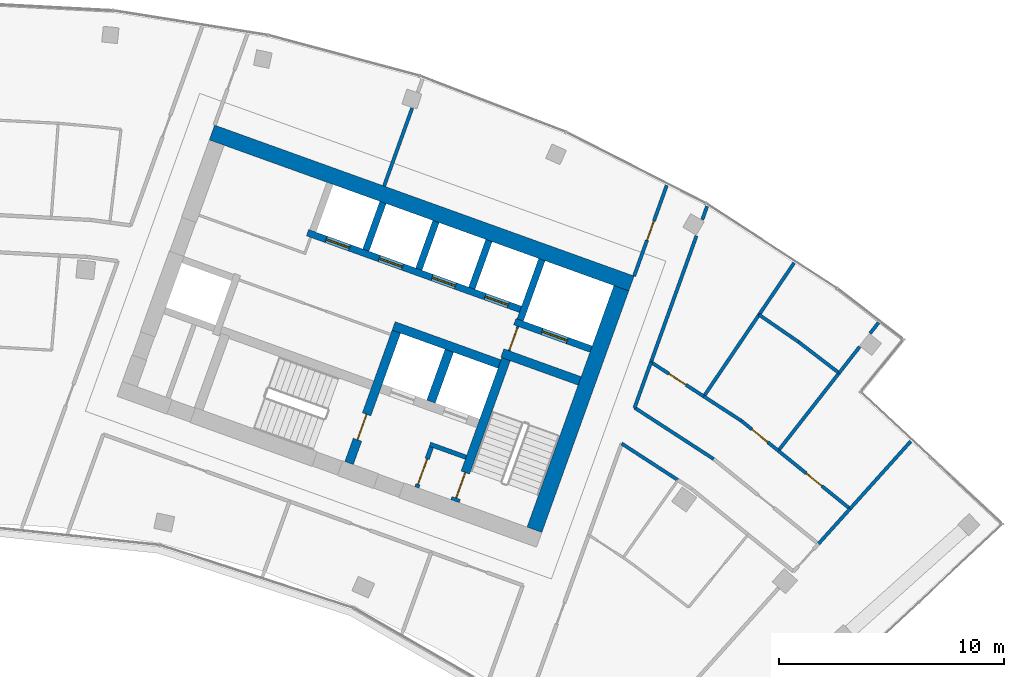
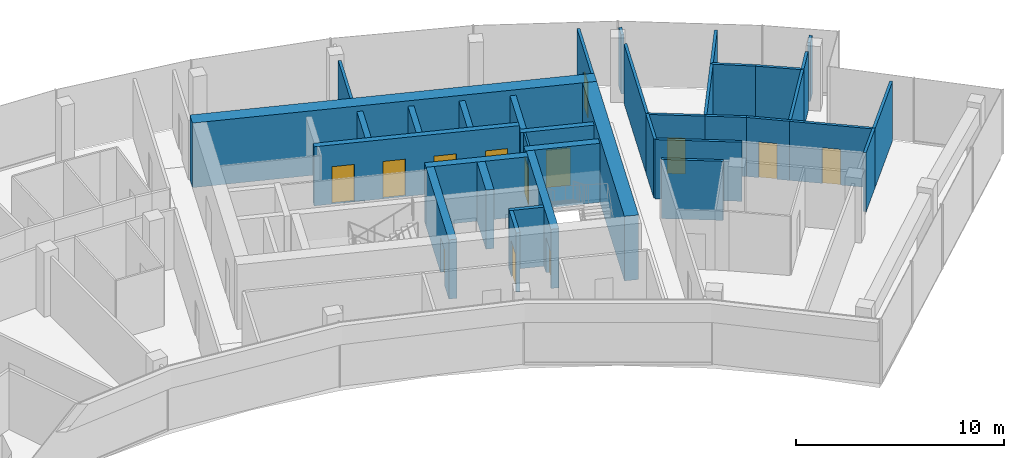
# One storey, part 16 of 18: 36 walls, 13 doors, 13 openings.
"""IFC4 building model written with IfcOpenShell, lengths in metres."""

from ifc_helpers import new_model, si_unit, direction, frame, frame_2d, origin, place, context, subcontext, project, spatial, rectangle, extrude, material, layer, layer_set, type_object, element, fill, save


model = new_model("IFC4")

# Units and contexts
model_context = context("Model", 3, precision=1e-05, world=origin(), true_north=direction((0.0, 1.0)))
body_context = subcontext(model_context, "Body", "Model", "MODEL_VIEW")
ifc_project = project(units=[si_unit("LENGTHUNIT", "METRE"), si_unit("AREAUNIT", "SQUARE_METRE"), si_unit("VOLUMEUNIT", "CUBIC_METRE"), si_unit("PLANEANGLEUNIT", "RADIAN"), si_unit("MASSUNIT", "GRAM", prefix="KILO")], contexts=[model_context])

# Site, building, storey
site_placement = place(None, origin())
site = spatial("IfcSite", under=ifc_project, at=site_placement, CompositionType="ELEMENT")
building_placement = place(site_placement, origin())
building = spatial("IfcBuilding", under=site, at=building_placement, Name="Stone Belt Terrace Tower", CompositionType="ELEMENT")
storey_placement = place(building_placement, frame((0.0, 0.0, 273.199951171875)))
storey = spatial("IfcBuildingStorey", under=building, at=storey_placement, Name="L66", CompositionType="ELEMENT", Elevation=273.199951171875)

# Wall, opening, door
ifc_material_1 = material(Name="Plasterboard partition")
ifc_layer_1 = layer(ifc_material_1, 0.10009765625)
ifc_layer_set_1 = layer_set([ifc_layer_1], Name="Core partition 100")
wall_type_1 = type_object("IfcWallType", Name="Core partition 100", PredefinedType="PARTITIONING", material=ifc_layer_set_1)
wall_1_placement = place(storey_placement, frame((24.555908203125, 51.10400390625, 0.0), z_axis=(0.0, 0.0, 1.0), x_axis=(0.338621735342, 0.94092258999, 0.0)))
wall_1 = element("IfcWall", 1, at=wall_1_placement, inside=storey, type_object=wall_type_1, Name="Core B wall", PredefinedType="PARTITIONING", context=body_context, shape_type="SweptSolid", body=[
    extrude(rectangle(XDim=1.14990234375, YDim=0.10009765625, at=frame_2d((0.574951171875, 0.0))), origin(), (0.0, 0.0, 1.0), 3.47998046875),
])
opening_1_placement = place(wall_1_placement, frame((0.050048828125, 0.0, 0.0)))
opening_1 = element("IfcOpeningElement", 2, at=opening_1_placement, cuts=wall_1, Name="Opening L66-C14", PredefinedType="OPENING", context=body_context, shape_type="SweptSolid", body=[
    extrude(rectangle(XDim=1.0, YDim=2.10009765625, at=frame_2d((0.5, 1.050048828125))), frame((0.0, 0.06005859375, 0.0), z_axis=(0.0, -1.0, 0.0), x_axis=(1.0, 0.0, 0.0)), (0.0, 0.0, 1.0), 0.1201171875),
])
ifc_material_2 = material(Name="Timber door leaf", Category="wood")
door_type_1 = type_object("IfcDoorType", Name="Core room door 1000", OperationType="SINGLE_SWING_LEFT", PredefinedType="DOOR", material=ifc_material_2)
door_1_placement = place(opening_1_placement, origin())
door_1 = element("IfcDoor", 3, at=door_1_placement, inside=storey, type_object=door_type_1, Name="Service lift lobby door core B", OperationType="SINGLE_SWING_RIGHT", OverallHeight=2.10009765625, OverallWidth=1.0, PredefinedType="DOOR", context=body_context, shape_type="SweptSolid", body=[
    extrude(rectangle(XDim=1.0, YDim=2.10009765625, at=frame_2d((0.5, 1.050048828125))), frame((0.0, 0.02490234375, 0.0), z_axis=(0.0, -1.0, 0.0), x_axis=(1.0, 0.0, 0.0)), (0.0, 0.0, 1.0), 0.050048828125),
])
fill(opening_1, door_1)

# Walls
ifc_material_3 = material(Name="Concrete B60", Category="concrete")
ifc_layer_2 = layer(ifc_material_3, 0.699951171875)
ifc_layer_set_2 = layer_set([ifc_layer_2], Name="Core wall 700 B60")
wall_type_2 = type_object("IfcWallType", Name="Core wall 700 B60", PredefinedType="SHEAR", material=ifc_layer_set_2)
wall_2_placement = place(storey_placement, frame((11.35791015625, 60.795654296875, 0.0), z_axis=(0.0, 0.0, 1.0), x_axis=(0.940919787944, -0.33862952124, 0.0)))
element("IfcWall", 4, at=wall_2_placement, inside=storey, type_object=wall_type_2, Name="Core B wall convex L66", PredefinedType="SHEAR", context=body_context, shape_type="SweptSolid", body=[
    extrude(rectangle(XDim=19.7998046875, YDim=0.699951171875, at=frame_2d((9.89990234375, 0.0))), origin(), (0.0, 0.0, 1.0), 3.800048828125),
])
wall_3_placement = place(storey_placement, frame((25.679931640625, 43.153564453125, 0.0), z_axis=(0.0, 0.0, 1.0), x_axis=(0.338625431531, 0.940921259788, 0.0)))
element("IfcWall", 5, at=wall_3_placement, inside=storey, type_object=wall_type_2, Name="Core B wall end_b L66", PredefinedType="SHEAR", context=body_context, shape_type="SweptSolid", body=[
    extrude(rectangle(XDim=11.400146484375, YDim=0.699951171875, at=frame_2d((5.7001953125, 0.0))), origin(), (0.0, 0.0, 1.0), 3.800048828125),
])
ifc_material_4 = material(Name="Concrete B80", Category="concrete")
ifc_layer_3 = layer(ifc_material_4, 0.39990234375)
ifc_layer_set_3 = layer_set([ifc_layer_3], Name="Fire-fighting lift shaft wall 400")
wall_type_3 = type_object("IfcWallType", Name="Fire-fighting lift shaft wall 400", PredefinedType="SHEAR", material=ifc_layer_set_3)
wall_4_placement = place(storey_placement, frame((24.130615234375, 50.512939453125, 0.0), z_axis=(0.0, 0.0, 1.0), x_axis=(-0.94091168377, 0.338652038744, 0.0)))
element("IfcWall", 6, at=wall_4_placement, inside=storey, type_object=wall_type_3, Name="Core B wall", PredefinedType="SHEAR", context=body_context, shape_type="SweptSolid", body=[
    extrude(rectangle(XDim=5.000244140625, YDim=0.39990234375, at=frame_2d((2.5, 0.0))), origin(), (0.0, 0.0, 1.0), 3.47998046875),
])
wall_5_placement = place(storey_placement, frame((21.0859375, 48.845458984375, 0.0), z_axis=(0.0, 0.0, 1.0), x_axis=(0.338629416206, 0.940919825745, 0.0)))
element("IfcWall", 7, at=wall_5_placement, inside=storey, type_object=wall_type_3, Name="Core B wall", PredefinedType="SHEAR", context=body_context, shape_type="SweptSolid", body=[
    extrude(rectangle(XDim=2.400146484375, YDim=0.39990234375, at=frame_2d((1.2001953125, 0.0))), origin(), (0.0, 0.0, 1.0), 3.47998046875),
])

# Wall, opening, door
ifc_layer_4 = layer(ifc_material_4, 0.300048828125)
ifc_layer_set_4 = layer_set([ifc_layer_4], Name="Lift shaft wall 300")
wall_type_4 = type_object("IfcWallType", Name="Lift shaft wall 300", PredefinedType="SHEAR", material=ifc_layer_set_4)
wall_6_placement = place(storey_placement, frame((28.195068359375, 51.17578125, 0.0), z_axis=(0.0, 0.0, 1.0), x_axis=(-0.940901243567, 0.338681044427, 0.0)))
wall_6 = element("IfcWall", 8, at=wall_6_placement, inside=storey, type_object=wall_type_4, Name="Core B wall", PredefinedType="SHEAR", context=body_context, shape_type="SweptSolid", body=[
    extrude(rectangle(XDim=3.599853515625, YDim=0.300048828125, at=frame_2d((1.7998046875, 0.0))), origin(), (0.0, 0.0, 1.0), 3.47998046875),
])
opening_2_placement = place(wall_6_placement, frame((1.1201171875, 0.0, 0.0)))
opening_2 = element("IfcOpeningElement", 9, at=opening_2_placement, cuts=wall_6, Name="Opening L66-LD14", PredefinedType="OPENING", context=body_context, shape_type="SweptSolid", body=[
    extrude(rectangle(XDim=1.199951171875, YDim=2.199951171875, at=frame_2d((0.60009765625, 1.10009765625))), frame((0.0, 0.159912109375, 0.0), z_axis=(0.0, -1.0, 0.0), x_axis=(1.0, 0.0, 0.0)), (0.0, 0.0, 1.0), 0.320068359375),
])
ifc_material_5 = material(Name="Stainless steel door leaf", Category="steel")
door_type_2 = type_object("IfcDoorType", Name="Landing door 1200", OperationType="SLIDING_TO_LEFT", PredefinedType="DOOR", material=ifc_material_5)
door_2_placement = place(opening_2_placement, origin())
door_2 = element("IfcDoor", 10, at=door_2_placement, inside=storey, type_object=door_type_2, Name="Landing door SV1 core B", OperationType="SLIDING_TO_LEFT", OverallHeight=2.199951171875, OverallWidth=1.199951171875, PredefinedType="DOOR", context=body_context, shape_type="SweptSolid", body=[
    extrude(rectangle(XDim=1.199951171875, YDim=2.199951171875, at=frame_2d((0.60009765625, 1.10009765625))), frame((0.0, 0.02490234375, 0.0), z_axis=(0.0, -1.0, 0.0), x_axis=(1.0, 0.0, 0.0)), (0.0, 0.0, 1.0), 0.050048828125),
])
fill(opening_2, door_2)

# Wall
wall_7_placement = place(storey_placement, frame((25.046875, 52.46826171875, 0.0), z_axis=(0.0, 0.0, 1.0), x_axis=(0.338549588058, 0.940948551423, 0.0)))
element("IfcWall", 11, at=wall_7_placement, inside=storey, type_object=wall_type_4, Name="Core B wall", PredefinedType="SHEAR", context=body_context, shape_type="SweptSolid", body=[
    extrude(rectangle(XDim=2.849853515625, YDim=0.300048828125, at=frame_2d((1.4248046875, 0.0))), origin(), (0.0, 0.0, 1.0), 3.47998046875),
])

# Wall, openings, doors
wall_8_placement = place(storey_placement, frame((25.05810546875, 52.9423828125, 0.0), z_axis=(0.0, 0.0, 1.0), x_axis=(-0.940917446785, 0.338636026339, 0.0)))
wall_8 = element("IfcWall", 12, at=wall_8_placement, inside=storey, type_object=wall_type_4, Name="Core B wall", PredefinedType="SHEAR", context=body_context, shape_type="SweptSolid", body=[
    extrude(rectangle(XDim=10.050048828125, YDim=0.300048828125, at=frame_2d((5.02490234375, 0.0))), origin(), (0.0, 0.0, 1.0), 3.47998046875),
])
opening_3_placement = place(wall_8_placement, frame((0.570068359375, 0.0, 0.0)))
opening_3 = element("IfcOpeningElement", 13, at=opening_3_placement, cuts=wall_8, Name="Opening L66-LD08", PredefinedType="OPENING", context=body_context, shape_type="SweptSolid", body=[
    extrude(rectangle(XDim=1.10009765625, YDim=2.199951171875, at=frame_2d((0.550048828125, 1.10009765625))), frame((0.0, 0.159912109375, 0.0), z_axis=(0.0, -1.0, 0.0), x_axis=(1.0, 0.0, 0.0)), (0.0, 0.0, 1.0), 0.320068359375),
])
opening_4_placement = place(wall_8_placement, frame((3.070068359375, 0.0, 0.0)))
opening_4 = element("IfcOpeningElement", 14, at=opening_4_placement, cuts=wall_8, Name="Opening L66-LD09", PredefinedType="OPENING", context=body_context, shape_type="SweptSolid", body=[
    extrude(rectangle(XDim=1.10009765625, YDim=2.199951171875, at=frame_2d((0.550048828125, 1.10009765625))), frame((0.0, 0.159912109375, 0.0), z_axis=(0.0, -1.0, 0.0), x_axis=(1.0, 0.0, 0.0)), (0.0, 0.0, 1.0), 0.320068359375),
])
opening_5_placement = place(wall_8_placement, frame((5.570068359375, 0.0, 0.0)))
opening_5 = element("IfcOpeningElement", 15, at=opening_5_placement, cuts=wall_8, Name="Opening L66-LD10", PredefinedType="OPENING", context=body_context, shape_type="SweptSolid", body=[
    extrude(rectangle(XDim=1.10009765625, YDim=2.199951171875, at=frame_2d((0.550048828125, 1.10009765625))), frame((0.0, 0.159912109375, 0.0), z_axis=(0.0, -1.0, 0.0), x_axis=(1.0, 0.0, 0.0)), (0.0, 0.0, 1.0), 0.320068359375),
])
opening_6_placement = place(wall_8_placement, frame((8.070068359375, 0.0, 0.0)))
opening_6 = element("IfcOpeningElement", 16, at=opening_6_placement, cuts=wall_8, Name="Opening L66-LD11", PredefinedType="OPENING", context=body_context, shape_type="SweptSolid", body=[
    extrude(rectangle(XDim=1.10009765625, YDim=2.199951171875, at=frame_2d((0.550048828125, 1.10009765625))), frame((0.0, 0.159912109375, 0.0), z_axis=(0.0, -1.0, 0.0), x_axis=(1.0, 0.0, 0.0)), (0.0, 0.0, 1.0), 0.320068359375),
])
door_type_3 = type_object("IfcDoorType", Name="Landing door 1100", OperationType="SLIDING_TO_LEFT", PredefinedType="DOOR", material=ifc_material_5)
door_3_placement = place(opening_3_placement, origin())
door_3 = element("IfcDoor", 17, at=door_3_placement, inside=storey, type_object=door_type_3, Name="Landing door HR1 core B", OperationType="SLIDING_TO_LEFT", OverallHeight=2.199951171875, OverallWidth=1.10009765625, PredefinedType="DOOR", context=body_context, shape_type="SweptSolid", body=[
    extrude(rectangle(XDim=1.10009765625, YDim=2.199951171875, at=frame_2d((0.550048828125, 1.10009765625))), frame((0.0, 0.02490234375, 0.0), z_axis=(0.0, -1.0, 0.0), x_axis=(1.0, 0.0, 0.0)), (0.0, 0.0, 1.0), 0.050048828125),
])
fill(opening_3, door_3)
door_4_placement = place(opening_4_placement, origin())
door_4 = element("IfcDoor", 18, at=door_4_placement, inside=storey, type_object=door_type_3, Name="Landing door HR2 core B", OperationType="SLIDING_TO_LEFT", OverallHeight=2.199951171875, OverallWidth=1.10009765625, PredefinedType="DOOR", context=body_context, shape_type="SweptSolid", body=[
    extrude(rectangle(XDim=1.10009765625, YDim=2.199951171875, at=frame_2d((0.550048828125, 1.10009765625))), frame((0.0, 0.02490234375, 0.0), z_axis=(0.0, -1.0, 0.0), x_axis=(1.0, 0.0, 0.0)), (0.0, 0.0, 1.0), 0.050048828125),
])
fill(opening_4, door_4)
door_5_placement = place(opening_5_placement, origin())
door_5 = element("IfcDoor", 19, at=door_5_placement, inside=storey, type_object=door_type_3, Name="Landing door HR3 core B", OperationType="SLIDING_TO_LEFT", OverallHeight=2.199951171875, OverallWidth=1.10009765625, PredefinedType="DOOR", context=body_context, shape_type="SweptSolid", body=[
    extrude(rectangle(XDim=1.10009765625, YDim=2.199951171875, at=frame_2d((0.550048828125, 1.10009765625))), frame((0.0, 0.02490234375, 0.0), z_axis=(0.0, -1.0, 0.0), x_axis=(1.0, 0.0, 0.0)), (0.0, 0.0, 1.0), 0.050048828125),
])
fill(opening_5, door_5)
door_6_placement = place(opening_6_placement, origin())
door_6 = element("IfcDoor", 20, at=door_6_placement, inside=storey, type_object=door_type_3, Name="Landing door HR4 core B", OperationType="SLIDING_TO_LEFT", OverallHeight=2.199951171875, OverallWidth=1.10009765625, PredefinedType="DOOR", context=body_context, shape_type="SweptSolid", body=[
    extrude(rectangle(XDim=1.10009765625, YDim=2.199951171875, at=frame_2d((0.550048828125, 1.10009765625))), frame((0.0, 0.02490234375, 0.0), z_axis=(0.0, -1.0, 0.0), x_axis=(1.0, 0.0, 0.0)), (0.0, 0.0, 1.0), 0.050048828125),
])
fill(opening_6, door_6)

# Walls
wall_9_placement = place(storey_placement, frame((22.897705078125, 53.87939453125, 0.0), z_axis=(0.0, 0.0, 1.0), x_axis=(0.338535034312, 0.940953787677, 0.0)))
element("IfcWall", 21, at=wall_9_placement, inside=storey, type_object=wall_type_4, Name="Core B wall", PredefinedType="SHEAR", context=body_context, shape_type="SweptSolid", body=[
    extrude(rectangle(XDim=2.25, YDim=0.300048828125, at=frame_2d((1.125, 0.0))), origin(), (0.0, 0.0, 1.0), 3.47998046875),
])
wall_10_placement = place(storey_placement, frame((20.54541015625, 54.72607421875, 0.0), z_axis=(0.0, 0.0, 1.0), x_axis=(0.338569601369, 0.940941350472, 0.0)))
element("IfcWall", 22, at=wall_10_placement, inside=storey, type_object=wall_type_4, Name="Core B wall", PredefinedType="SHEAR", context=body_context, shape_type="SweptSolid", body=[
    extrude(rectangle(XDim=2.249755859375, YDim=0.300048828125, at=frame_2d((1.125, 0.0))), origin(), (0.0, 0.0, 1.0), 3.47998046875),
])
wall_11_placement = place(storey_placement, frame((18.193115234375, 55.572509765625, 0.0), z_axis=(0.0, 0.0, 1.0), x_axis=(0.338535034312, 0.940953787677, 0.0)))
element("IfcWall", 23, at=wall_11_placement, inside=storey, type_object=wall_type_4, Name="Core B wall", PredefinedType="SHEAR", context=body_context, shape_type="SweptSolid", body=[
    extrude(rectangle(XDim=2.25, YDim=0.300048828125, at=frame_2d((1.125, 0.0))), origin(), (0.0, 0.0, 1.0), 3.47998046875),
])

# Wall, opening, door
ifc_material_6 = material(Name="Gypsum board partition")
ifc_layer_5 = layer(ifc_material_6, 0.14990234375)
ifc_layer_set_5 = layer_set([ifc_layer_5], Name="PARTITION 150 EI 60")
wall_type_5 = type_object("IfcWallType", Name="PARTITION 150 EI 60", PredefinedType="PARTITIONING", material=ifc_layer_set_5)
wall_12_placement = place(storey_placement, frame((30.10595703125, 54.419921875, 0.0), z_axis=(0.0, 0.0, 1.0), x_axis=(0.338580264222, 0.940937513695, 0.0)))
wall_12 = element("IfcWall", 24, at=wall_12_placement, inside=storey, type_object=wall_type_5, Name="L66/wall/i023", PredefinedType="PARTITIONING", context=body_context, shape_type="SweptSolid", body=[
    extrude(rectangle(XDim=4.285400390625, YDim=0.14990234375, at=frame_2d((2.142578125, 0.0))), origin(), (0.0, 0.0, 1.0), 3.47998046875),
])
opening_7_placement = place(wall_12_placement, frame((1.692626953125, 0.0, 0.0)))
opening_7 = element("IfcOpeningElement", 25, at=opening_7_placement, cuts=wall_12, Name="Opening D-E2-10", PredefinedType="OPENING", context=body_context, shape_type="SweptSolid", body=[
    extrude(rectangle(XDim=0.89990234375, YDim=2.10009765625, at=frame_2d((0.449951171875, 1.050048828125))), frame((0.0, 0.0849609375, 0.0), z_axis=(0.0, -1.0, 0.0), x_axis=(1.0, 0.0, 0.0)), (0.0, 0.0, 1.0), 0.169921875),
])
door_type_4 = type_object("IfcDoorType", Name="OFFICE DOOR 900 X 2100", OperationType="NOTDEFINED", PredefinedType="DOOR", material=ifc_material_2)
door_7_placement = place(opening_7_placement, origin())
door_7 = element("IfcDoor", 26, at=door_7_placement, inside=storey, type_object=door_type_4, Name="L66/door/i10", OperationType="SINGLE_SWING_RIGHT", OverallHeight=2.10009765625, OverallWidth=0.89990234375, PredefinedType="DOOR", context=body_context, shape_type="SweptSolid", body=[
    extrude(rectangle(XDim=0.89990234375, YDim=2.10009765625, at=frame_2d((0.449951171875, 1.050048828125))), frame((0.0, 0.02490234375, 0.0), z_axis=(0.0, -1.0, 0.0), x_axis=(1.0, 0.0, 0.0)), (0.0, 0.0, 1.0), 0.050048828125),
])
fill(opening_7, door_7)

# Walls
wall_13_placement = place(storey_placement, frame((30.85791015625, 50.60400390625, 0.0), z_axis=(0.0, 0.0, 1.0), x_axis=(-0.338315840616, -0.941032620045, 0.0)))
element("IfcWall", 27, at=wall_13_placement, inside=storey, type_object=wall_type_5, Name="L66/wall/i027", PredefinedType="PARTITIONING", context=body_context, shape_type="SweptSolid", body=[
    extrude(rectangle(XDim=2.16357421875, YDim=0.14990234375, at=frame_2d((1.081787109375, 0.0))), origin(), (0.0, 0.0, 1.0), 3.47998046875),
])
wall_14_placement = place(storey_placement, frame((33.348876953125, 57.523193359375, 0.0), z_axis=(0.0, 0.0, 1.0), x_axis=(-0.338733145318, -0.94088248802, 0.0)))
element("IfcWall", 28, at=wall_14_placement, inside=storey, type_object=wall_type_5, Name="L66/wall/i028", PredefinedType="PARTITIONING", context=body_context, shape_type="SweptSolid", body=[
    extrude(rectangle(XDim=0.632080078125, YDim=0.14990234375, at=frame_2d((0.31591796875, 0.0))), origin(), (0.0, 0.0, 1.0), 3.47998046875),
])
wall_15_placement = place(storey_placement, frame((32.875244140625, 56.20703125, 0.0), z_axis=(0.0, 0.0, 1.0), x_axis=(-0.338696289535, -0.940895755892, 0.0)))
element("IfcWall", 29, at=wall_15_placement, inside=storey, type_object=wall_type_5, Name="L66/wall/i029", PredefinedType="PARTITIONING", context=body_context, shape_type="SweptSolid", body=[
    extrude(rectangle(XDim=5.9677734375, YDim=0.14990234375, at=frame_2d((2.98388671875, 0.0))), origin(), (0.0, 0.0, 1.0), 3.47998046875),
])
wall_16_placement = place(storey_placement, frame((20.24853515625, 61.88037109375, 0.0), z_axis=(0.0, 0.0, 1.0), x_axis=(-0.338663099536, -0.940907702707, 0.0)))
element("IfcWall", 30, at=wall_16_placement, inside=storey, type_object=wall_type_5, Name="L66/wall/i036", PredefinedType="PARTITIONING", context=body_context, shape_type="SweptSolid", body=[
    extrude(rectangle(XDim=3.680908203125, YDim=0.14990234375, at=frame_2d((1.84033203125, 0.0))), origin(), (0.0, 0.0, 1.0), 3.47998046875),
])
wall_17_placement = place(storey_placement, frame((38.287109375, 42.52099609375, 0.0), z_axis=(0.0, 0.0, 1.0), x_axis=(0.668856019275, 0.743391972972, 0.0)))
element("IfcWall", 31, at=wall_17_placement, inside=storey, type_object=wall_type_5, Name="L66/wall/i062", PredefinedType="PARTITIONING", context=body_context, shape_type="SweptSolid", body=[
    extrude(rectangle(XDim=2.109375, YDim=0.14990234375, at=frame_2d((1.0546875, 0.0))), origin(), (0.0, 0.0, 1.0), 3.47998046875),
])
wall_18_placement = place(storey_placement, frame((39.69091796875, 44.080078125, 0.0), z_axis=(0.0, 0.0, 1.0), x_axis=(0.669038042055, 0.743228160314, 0.0)))
element("IfcWall", 32, at=wall_18_placement, inside=storey, type_object=wall_type_5, Name="L66/wall/i063", PredefinedType="PARTITIONING", context=body_context, shape_type="SweptSolid", body=[
    extrude(rectangle(XDim=4.047607421875, YDim=0.14990234375, at=frame_2d((2.02392578125, 0.0))), origin(), (0.0, 0.0, 1.0), 3.47998046875),
])
wall_19_placement = place(storey_placement, frame((32.056884765625, 45.35693359375, 0.0), z_axis=(0.0, 0.0, 1.0), x_axis=(-0.838787531039, 0.544458885292, 0.0)))
element("IfcWall", 33, at=wall_19_placement, inside=storey, type_object=wall_type_5, Name="L66/wall/i065", PredefinedType="PARTITIONING", context=body_context, shape_type="SweptSolid", body=[
    extrude(rectangle(XDim=2.98291015625, YDim=0.14990234375, at=frame_2d((1.491455078125, 0.0))), origin(), (0.0, 0.0, 1.0), 3.47998046875),
])
wall_20_placement = place(storey_placement, frame((30.1279296875, 48.573974609375, 0.0), z_axis=(0.0, 0.0, 1.0), x_axis=(0.838679571288, -0.544625170832, 0.0)))
element("IfcWall", 34, at=wall_20_placement, inside=storey, type_object=wall_type_5, Name="L66/wall/i068", PredefinedType="PARTITIONING", context=body_context, shape_type="SweptSolid", body=[
    extrude(rectangle(XDim=4.182861328125, YDim=0.14990234375, at=frame_2d((2.09130859375, 0.0))), origin(), (0.0, 0.0, 1.0), 3.47998046875),
])

# Wall, opening, door
wall_21_placement = place(storey_placement, frame((30.85595703125, 50.597900390625, 0.0), z_axis=(0.0, 0.0, 1.0), x_axis=(0.838718223529, -0.544565644822, 0.0)))
wall_21 = element("IfcWall", 35, at=wall_21_placement, inside=storey, type_object=wall_type_5, Name="L66/wall/i075", PredefinedType="PARTITIONING", context=body_context, shape_type="SweptSolid", body=[
    extrude(rectangle(XDim=2.802001953125, YDim=0.14990234375, at=frame_2d((1.40087890625, 0.0))), origin(), (0.0, 0.0, 1.0), 3.47998046875),
])
opening_8_placement = place(wall_21_placement, frame((0.950927734375, 0.0, 0.0)))
opening_8 = element("IfcOpeningElement", 36, at=opening_8_placement, cuts=wall_21, Name="Opening D-E2-23", PredefinedType="OPENING", context=body_context, shape_type="SweptSolid", body=[
    extrude(rectangle(XDim=0.89990234375, YDim=2.10009765625, at=frame_2d((0.449951171875, 1.050048828125))), frame((0.0, 0.0849609375, 0.0), z_axis=(0.0, -1.0, 0.0), x_axis=(1.0, 0.0, 0.0)), (0.0, 0.0, 1.0), 0.169921875),
])
door_8_placement = place(opening_8_placement, origin())
door_8 = element("IfcDoor", 37, at=door_8_placement, inside=storey, type_object=door_type_4, Name="L66/door/i23", OperationType="SINGLE_SWING_RIGHT", OverallHeight=2.10009765625, OverallWidth=0.89990234375, PredefinedType="DOOR", context=body_context, shape_type="SweptSolid", body=[
    extrude(rectangle(XDim=0.89990234375, YDim=2.10009765625, at=frame_2d((0.449951171875, 1.050048828125))), frame((0.0, 0.02490234375, 0.0), z_axis=(0.0, -1.0, 0.0), x_axis=(1.0, 0.0, 0.0)), (0.0, 0.0, 1.0), 0.050048828125),
])
fill(opening_8, door_8)

# Wall
wall_22_placement = place(storey_placement, frame((33.196044921875, 49.077880859375, 0.0), z_axis=(0.0, 0.0, 1.0), x_axis=(0.838767892149, -0.544489139562, 0.0)))
element("IfcWall", 38, at=wall_22_placement, inside=storey, type_object=wall_type_5, Name="L66/wall/i076", PredefinedType="PARTITIONING", context=body_context, shape_type="SweptSolid", body=[
    extrude(rectangle(XDim=1.994384765625, YDim=0.14990234375, at=frame_2d((0.9970703125, 0.0))), origin(), (0.0, 0.0, 1.0), 3.47998046875),
])

# Wall, opening, door
wall_23_placement = place(storey_placement, frame((34.868896484375, 47.991943359375, 0.0), z_axis=(0.0, 0.0, 1.0), x_axis=(0.777164283985, -0.629297763939, 0.0)))
wall_23 = element("IfcWall", 39, at=wall_23_placement, inside=storey, type_object=wall_type_5, Name="L66/wall/i077", PredefinedType="PARTITIONING", context=body_context, shape_type="SweptSolid", body=[
    extrude(rectangle(XDim=2.11669921875, YDim=0.14990234375, at=frame_2d((1.058349609375, 0.0))), origin(), (0.0, 0.0, 1.0), 3.47998046875),
])
opening_9_placement = place(wall_23_placement, frame((0.6083984375, 0.0, 0.0)))
opening_9 = element("IfcOpeningElement", 40, at=opening_9_placement, cuts=wall_23, Name="Opening D-E2-24", PredefinedType="OPENING", context=body_context, shape_type="SweptSolid", body=[
    extrude(rectangle(XDim=0.89990234375, YDim=2.10009765625, at=frame_2d((0.449951171875, 1.050048828125))), frame((0.0, 0.0849609375, 0.0), z_axis=(0.0, -1.0, 0.0), x_axis=(1.0, 0.0, 0.0)), (0.0, 0.0, 1.0), 0.169921875),
])
door_9_placement = place(opening_9_placement, origin())
door_9 = element("IfcDoor", 41, at=door_9_placement, inside=storey, type_object=door_type_4, Name="L66/door/i24", OperationType="SINGLE_SWING_RIGHT", OverallHeight=2.10009765625, OverallWidth=0.89990234375, PredefinedType="DOOR", context=body_context, shape_type="SweptSolid", body=[
    extrude(rectangle(XDim=0.89990234375, YDim=2.10009765625, at=frame_2d((0.449951171875, 1.050048828125))), frame((0.0, 0.02490234375, 0.0), z_axis=(0.0, -1.0, 0.0), x_axis=(1.0, 0.0, 0.0)), (0.0, 0.0, 1.0), 0.050048828125),
])
fill(opening_9, door_9)

wall_24_placement = place(storey_placement, frame((36.5048828125, 46.6669921875, 0.0), z_axis=(0.0, 0.0, 1.0), x_axis=(0.777210230824, -0.629241016703, 0.0)))
wall_24 = element("IfcWall", 42, at=wall_24_placement, inside=storey, type_object=wall_type_5, Name="L66/wall/i078", PredefinedType="PARTITIONING", context=body_context, shape_type="SweptSolid", body=[
    extrude(rectangle(XDim=4.103515625, YDim=0.14990234375, at=frame_2d((2.0517578125, 0.0))), origin(), (0.0, 0.0, 1.0), 3.47998046875),
])
opening_10_placement = place(wall_24_placement, frame((1.6015625, 0.0, 0.0)))
opening_10 = element("IfcOpeningElement", 43, at=opening_10_placement, cuts=wall_24, Name="Opening D-E2-25", PredefinedType="OPENING", context=body_context, shape_type="SweptSolid", body=[
    extrude(rectangle(XDim=0.89990234375, YDim=2.10009765625, at=frame_2d((0.449951171875, 1.050048828125))), frame((0.0, 0.0849609375, 0.0), z_axis=(0.0, -1.0, 0.0), x_axis=(1.0, 0.0, 0.0)), (0.0, 0.0, 1.0), 0.169921875),
])
door_10_placement = place(opening_10_placement, origin())
door_10 = element("IfcDoor", 44, at=door_10_placement, inside=storey, type_object=door_type_4, Name="L66/door/i25", OperationType="SINGLE_SWING_RIGHT", OverallHeight=2.10009765625, OverallWidth=0.89990234375, PredefinedType="DOOR", context=body_context, shape_type="SweptSolid", body=[
    extrude(rectangle(XDim=0.89990234375, YDim=2.10009765625, at=frame_2d((0.449951171875, 1.050048828125))), frame((0.0, 0.02490234375, 0.0), z_axis=(0.0, -1.0, 0.0), x_axis=(1.0, 0.0, 0.0)), (0.0, 0.0, 1.0), 0.050048828125),
])
fill(opening_10, door_10)

# Walls
wall_25_placement = place(storey_placement, frame((35.657958984375, 52.7080078125, 0.0), z_axis=(0.0, 0.0, 1.0), x_axis=(-0.560211644635, -0.828349511508, 0.0)))
element("IfcWall", 45, at=wall_25_placement, inside=storey, type_object=wall_type_5, Name="L66/wall/i079", PredefinedType="PARTITIONING", context=body_context, shape_type="SweptSolid", body=[
    extrude(rectangle(XDim=4.385986328125, YDim=0.14990234375, at=frame_2d((2.19287109375, 0.0))), origin(), (0.0, 0.0, 1.0), 3.47998046875),
])
wall_26_placement = place(storey_placement, frame((37.218017578125, 55.013916015625, 0.0), z_axis=(0.0, 0.0, 1.0), x_axis=(-0.560129616984, -0.828404980778, 0.0)))
element("IfcWall", 46, at=wall_26_placement, inside=storey, type_object=wall_type_5, Name="L66/wall/i080", PredefinedType="PARTITIONING", context=body_context, shape_type="SweptSolid", body=[
    extrude(rectangle(XDim=2.795654296875, YDim=0.14990234375, at=frame_2d((1.39794921875, 0.0))), origin(), (0.0, 0.0, 1.0), 3.47998046875),
])
wall_27_placement = place(storey_placement, frame((35.655029296875, 52.702880859375, 0.0), z_axis=(0.0, 0.0, 1.0), x_axis=(0.82382476959, -0.566844554538, 0.0)))
element("IfcWall", 47, at=wall_27_placement, inside=storey, type_object=wall_type_5, Name="L66/wall/i081", PredefinedType="PARTITIONING", context=body_context, shape_type="SweptSolid", body=[
    extrude(rectangle(XDim=2.1328125, YDim=0.14990234375, at=frame_2d((1.06640625, 0.0))), origin(), (0.0, 0.0, 1.0), 3.47998046875),
])
wall_28_placement = place(storey_placement, frame((37.412109375, 51.493896484375, 0.0), z_axis=(0.0, 0.0, 1.0), x_axis=(0.793120467895, -0.609064794095, 0.0)))
element("IfcWall", 48, at=wall_28_placement, inside=storey, type_object=wall_type_5, Name="L66/wall/i082", PredefinedType="PARTITIONING", context=body_context, shape_type="SweptSolid", body=[
    extrude(rectangle(XDim=2.265625, YDim=0.14990234375, at=frame_2d((1.1328125, 0.0))), origin(), (0.0, 0.0, 1.0), 3.47998046875),
])
wall_29_placement = place(storey_placement, frame((39.208984375, 50.114013671875, 0.0), z_axis=(0.0, 0.0, 1.0), x_axis=(-0.616168485645, -0.787614370932, 0.0)))
element("IfcWall", 49, at=wall_29_placement, inside=storey, type_object=wall_type_5, Name="L66/wall/i083", PredefinedType="PARTITIONING", context=body_context, shape_type="SweptSolid", body=[
    extrude(rectangle(XDim=4.38037109375, YDim=0.14990234375, at=frame_2d((2.190185546875, 0.0))), origin(), (0.0, 0.0, 1.0), 3.47998046875),
])
wall_30_placement = place(storey_placement, frame((40.963623046875, 52.356689453125, 0.0), z_axis=(0.0, 0.0, 1.0), x_axis=(-0.616134966401, -0.787640592642, 0.0)))
element("IfcWall", 50, at=wall_30_placement, inside=storey, type_object=wall_type_5, Name="L66/wall/i084", PredefinedType="PARTITIONING", context=body_context, shape_type="SweptSolid", body=[
    extrude(rectangle(XDim=0.60791015625, YDim=0.14990234375, at=frame_2d((0.303955078125, 0.0))), origin(), (0.0, 0.0, 1.0), 3.47998046875),
])
wall_31_placement = place(storey_placement, frame((40.120849609375, 51.279541015625, 0.0), z_axis=(0.0, 0.0, 1.0), x_axis=(-0.616188148324, -0.787598987979, 0.0)))
element("IfcWall", 51, at=wall_31_placement, inside=storey, type_object=wall_type_5, Name="L66/wall/i085", PredefinedType="PARTITIONING", context=body_context, shape_type="SweptSolid", body=[
    extrude(rectangle(XDim=1.479736328125, YDim=0.14990234375, at=frame_2d((0.73974609375, 0.0))), origin(), (0.0, 0.0, 1.0), 3.47998046875),
])
ifc_material_7 = material(Name="Concrete masonry block", Category="masonry")
ifc_layer_6 = layer(ifc_material_7, 0.199951171875)
ifc_layer_set_6 = layer_set([ifc_layer_6], Name="Rated lobby wall 200")
wall_type_6 = type_object("IfcWallType", Name="Rated lobby wall 200", PredefinedType="PARTITIONING", material=ifc_layer_set_6)
wall_32_placement = place(storey_placement, frame((22.640625, 46.373046875, 0.0), z_axis=(0.0, 0.0, 1.0), x_axis=(-0.940966110313, 0.338500781747, 0.0)))
element("IfcWall", 52, at=wall_32_placement, inside=storey, type_object=wall_type_6, Name="Core B wall", PredefinedType="PARTITIONING", context=body_context, shape_type="SweptSolid", body=[
    extrude(rectangle(XDim=1.699951171875, YDim=0.199951171875, at=frame_2d((0.85009765625, 0.0))), origin(), (0.0, 0.0, 1.0), 3.47998046875),
])

# Wall, opening, door
wall_33_placement = place(storey_placement, frame((20.4580078125, 45.032958984375, 0.0), z_axis=(0.0, 0.0, 1.0), x_axis=(0.338573865316, 0.940939816208, 0.0)))
wall_33 = element("IfcWall", 53, at=wall_33_placement, inside=storey, type_object=wall_type_6, Name="Core B wall", PredefinedType="PARTITIONING", context=body_context, shape_type="SweptSolid", body=[
    extrude(rectangle(XDim=1.900146484375, YDim=0.199951171875, at=frame_2d((0.9501953125, 0.0))), origin(), (0.0, 0.0, 1.0), 3.47998046875),
])
opening_11_placement = place(wall_33_placement, frame((0.14990234375, 0.0, 0.0)))
opening_11 = element("IfcOpeningElement", 54, at=opening_11_placement, cuts=wall_33, Name="Opening L66-C17", PredefinedType="OPENING", context=body_context, shape_type="SweptSolid", body=[
    extrude(rectangle(XDim=1.199951171875, YDim=2.10009765625, at=frame_2d((0.60009765625, 1.050048828125))), frame((0.0, 0.10986328125, 0.0), z_axis=(0.0, -1.0, 0.0), x_axis=(1.0, 0.0, 0.0)), (0.0, 0.0, 1.0), 0.219970703125),
])
ifc_material_8 = material(Name="Steel door leaf", Category="steel")
door_type_5 = type_object("IfcDoorType", Name="Stair door 1200", OperationType="SINGLE_SWING_LEFT", PredefinedType="DOOR", material=ifc_material_8)
door_11_placement = place(opening_11_placement, origin())
door_11 = element("IfcDoor", 55, at=door_11_placement, inside=storey, type_object=door_type_5, Name="Stair airlock door core B", OperationType="SINGLE_SWING_RIGHT", OverallHeight=2.10009765625, OverallWidth=1.199951171875, PredefinedType="DOOR", context=body_context, shape_type="SweptSolid", body=[
    extrude(rectangle(XDim=1.199951171875, YDim=2.10009765625, at=frame_2d((0.60009765625, 1.050048828125))), frame((0.0, 0.02490234375, 0.0), z_axis=(0.0, -1.0, 0.0), x_axis=(1.0, 0.0, 0.0)), (0.0, 0.0, 1.0), 0.050048828125),
])
fill(opening_11, door_11)

# Wall
ifc_layer_7 = layer(ifc_material_4, 0.39990234375)
ifc_layer_set_7 = layer_set([ifc_layer_7], Name="Stair enclosure wall 400")
wall_type_7 = type_object("IfcWallType", Name="Stair enclosure wall 400", PredefinedType="SHEAR", material=ifc_layer_set_7)
wall_34_placement = place(storey_placement, frame((27.687255859375, 49.764404296875, 0.0), z_axis=(0.0, 0.0, 1.0), x_axis=(-0.940918954884, 0.338631835981, 0.0)))
element("IfcWall", 56, at=wall_34_placement, inside=storey, type_object=wall_type_7, Name="Core B wall", PredefinedType="SHEAR", context=body_context, shape_type="SweptSolid", body=[
    extrude(rectangle(XDim=3.650146484375, YDim=0.39990234375, at=frame_2d((1.8251953125, 0.0))), origin(), (0.0, 0.0, 1.0), 3.47998046875),
])

# Wall, opening, door
wall_35_placement = place(storey_placement, frame((22.151611328125, 44.42333984375, 0.0), z_axis=(0.0, 0.0, 1.0), x_axis=(0.338625272931, 0.940921316866, 0.0)))
wall_35 = element("IfcWall", 57, at=wall_35_placement, inside=storey, type_object=wall_type_7, Name="Core B wall", PredefinedType="SHEAR", context=body_context, shape_type="SweptSolid", body=[
    extrude(rectangle(XDim=6.699951171875, YDim=0.39990234375, at=frame_2d((3.35009765625, 0.0))), origin(), (0.0, 0.0, 1.0), 3.47998046875),
])
opening_12_placement = place(wall_35_placement, frame((0.14990234375, 0.0, 0.0)))
opening_12 = element("IfcOpeningElement", 58, at=opening_12_placement, cuts=wall_35, Name="Opening L66-C16", PredefinedType="OPENING", context=body_context, shape_type="SweptSolid", body=[
    extrude(rectangle(XDim=1.199951171875, YDim=2.10009765625, at=frame_2d((0.60009765625, 1.050048828125))), frame((0.0, 0.2099609375, 0.0), z_axis=(0.0, -1.0, 0.0), x_axis=(1.0, 0.0, 0.0)), (0.0, 0.0, 1.0), 0.419921875),
])
door_12_placement = place(opening_12_placement, origin())
door_12 = element("IfcDoor", 59, at=door_12_placement, inside=storey, type_object=door_type_5, Name="Stair 1 door core B", OperationType="SINGLE_SWING_RIGHT", OverallHeight=2.10009765625, OverallWidth=1.199951171875, PredefinedType="DOOR", context=body_context, shape_type="SweptSolid", body=[
    extrude(rectangle(XDim=1.199951171875, YDim=2.10009765625, at=frame_2d((0.60009765625, 1.050048828125))), frame((0.0, 0.02490234375, 0.0), z_axis=(0.0, -1.0, 0.0), x_axis=(1.0, 0.0, 0.0)), (0.0, 0.0, 1.0), 0.050048828125),
])
fill(opening_12, door_12)

wall_36_placement = place(storey_placement, frame((17.447021484375, 46.116455078125, 0.0), z_axis=(0.0, 0.0, 1.0), x_axis=(0.33860791464, 0.940927563707, 0.0)))
wall_36 = element("IfcWall", 60, at=wall_36_placement, inside=storey, type_object=wall_type_7, Name="Core B wall", PredefinedType="SHEAR", context=body_context, shape_type="SweptSolid", body=[
    extrude(rectangle(XDim=6.199951171875, YDim=0.39990234375, at=frame_2d((3.10009765625, 0.0))), origin(), (0.0, 0.0, 1.0), 3.47998046875),
])
opening_13_placement = place(wall_36_placement, frame((1.10009765625, 0.0, 0.0)))
opening_13 = element("IfcOpeningElement", 61, at=opening_13_placement, cuts=wall_36, Name="Opening L66-C19", PredefinedType="OPENING", context=body_context, shape_type="SweptSolid", body=[
    extrude(rectangle(XDim=1.199951171875, YDim=2.10009765625, at=frame_2d((0.60009765625, 1.050048828125))), frame((0.0, 0.2099609375, 0.0), z_axis=(0.0, -1.0, 0.0), x_axis=(1.0, 0.0, 0.0)), (0.0, 0.0, 1.0), 0.419921875),
])
door_13_placement = place(opening_13_placement, origin())
door_13 = element("IfcDoor", 62, at=door_13_placement, inside=storey, type_object=door_type_5, Name="Stair 2 door core B", OperationType="SINGLE_SWING_RIGHT", OverallHeight=2.10009765625, OverallWidth=1.199951171875, PredefinedType="DOOR", context=body_context, shape_type="SweptSolid", body=[
    extrude(rectangle(XDim=1.199951171875, YDim=2.10009765625, at=frame_2d((0.60009765625, 1.050048828125))), frame((0.0, 0.02490234375, 0.0), z_axis=(0.0, -1.0, 0.0), x_axis=(1.0, 0.0, 0.0)), (0.0, 0.0, 1.0), 0.050048828125),
])
fill(opening_13, door_13)

save(model, "model.ifc")
